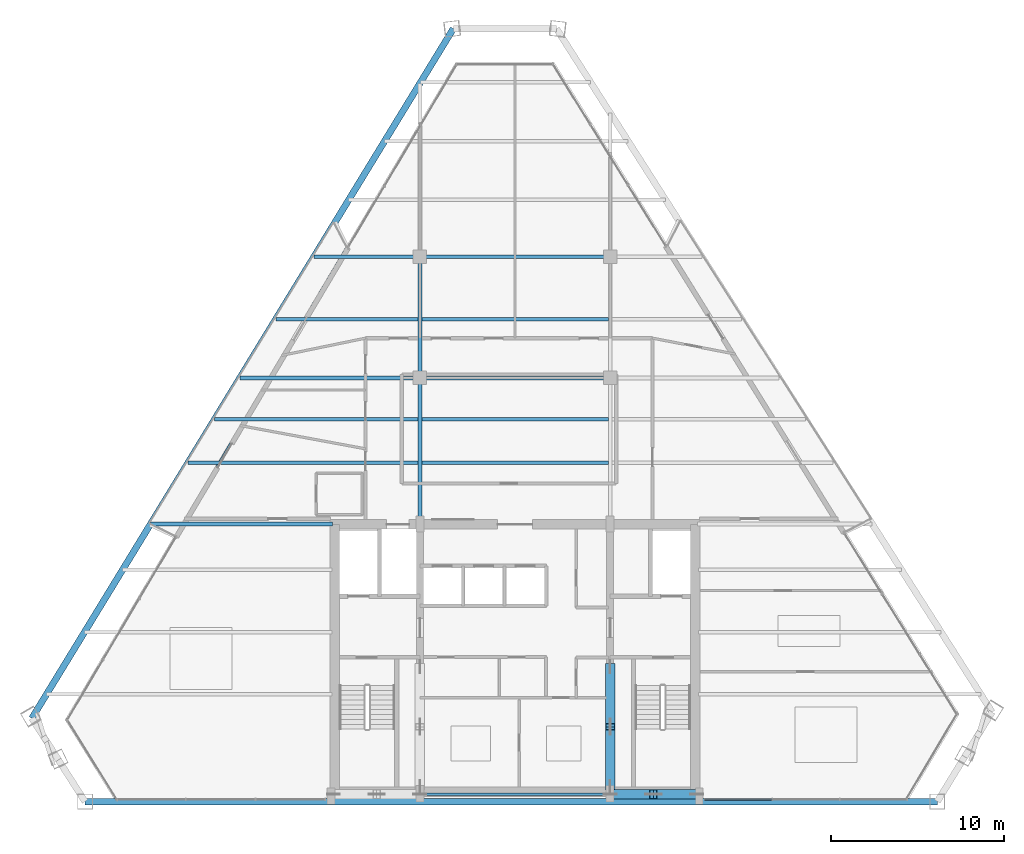
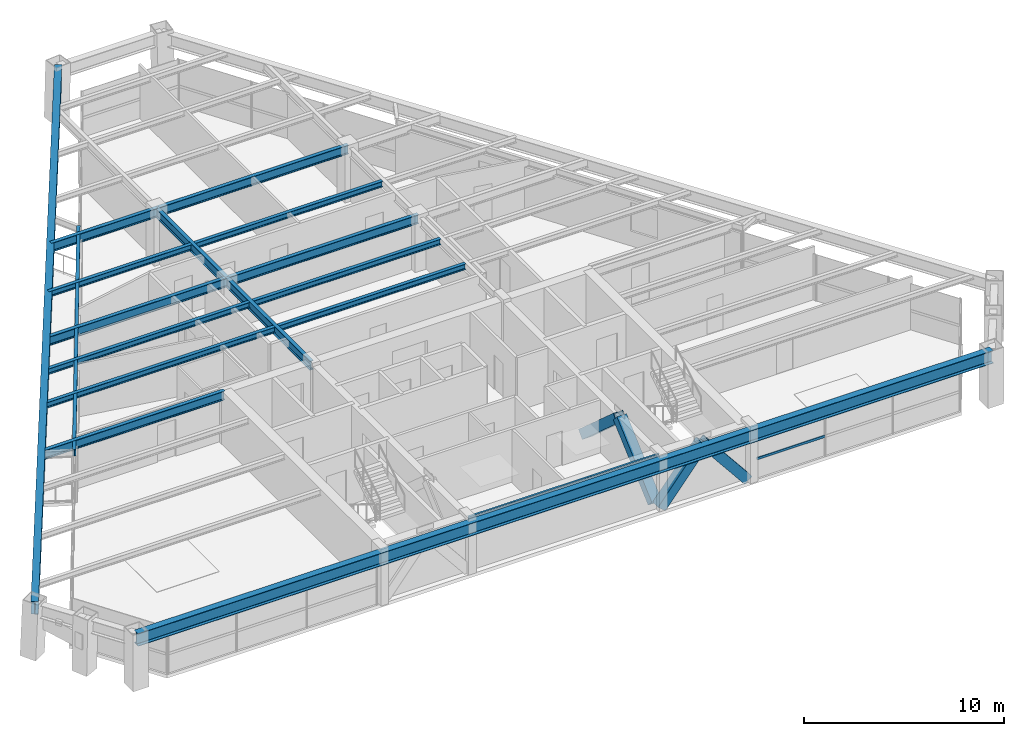
# One storey, part 3 of 12: 17 beams, 5 members, 1 element without a shape of its own.
"""IFC4 building model written with IfcOpenShell, lengths in metres."""

from ifc_helpers import new_model, si_unit, direction, frame, origin, origin_2d, place, context, subcontext, project, spatial, rectangle, hollow_rectangle, i_section, extrude, source, transform, mapped, material, material_profile, profile_set, type_object, type_shapes, element, aggregate, save


model = new_model("IFC4")

# Units and contexts
model_context = context("Model", 3, precision=1e-05, world=origin(), true_north=direction((0.0, 1.0)))
body_context = subcontext(model_context, "Body", "Model", "MODEL_VIEW")
ifc_project = project(units=[si_unit("LENGTHUNIT", "METRE"), si_unit("AREAUNIT", "SQUARE_METRE"), si_unit("VOLUMEUNIT", "CUBIC_METRE"), si_unit("PLANEANGLEUNIT", "RADIAN"), si_unit("MASSUNIT", "GRAM", prefix="KILO")], contexts=[model_context])

# Site, building, storey
site_placement = place(None, origin())
site = spatial("IfcSite", under=ifc_project, at=site_placement, CompositionType="ELEMENT")
building_placement = place(site_placement, origin())
building = spatial("IfcBuilding", under=site, at=building_placement, Name="Varnakhor Terracotta Tower", CompositionType="ELEMENT")
storey_placement = place(building_placement, frame((0.0, 0.0, 230.35009765625)))
storey = spatial("IfcBuildingStorey", under=building, at=storey_placement, Name="L59", CompositionType="ELEMENT", Elevation=230.35009765625)

# Beams
ifc_material_1 = material(Name="Steel S355", Category="steel")
ifc_material_profile_1 = material_profile(ifc_material_1, i_section(OverallWidth=0.1201171875, OverallDepth=0.239990234375, WebThickness=0.006103515625, FlangeThickness=0.009765625, FilletRadius=0.01806640625, at=origin_2d()), Name="IPE240")
ifc_profile_set_1 = profile_set([ifc_material_profile_1], Name="Steel S355")
beam_type_1 = type_object("IfcBeamType", Name="LNT-IPE240", PredefinedType="LINTEL", material=ifc_profile_set_1)
shared_shape_1 = source(origin(), body_context, "Body", "SweptSolid", [
    extrude(i_section(OverallWidth=0.1201171875, OverallDepth=0.239990234375, WebThickness=0.006103515625, FlangeThickness=0.009765625, FilletRadius=0.01806640625, at=origin_2d()), origin(), (0.0, 0.0, 1.0), 11.0),
])
type_shapes(beam_type_1, [shared_shape_1])
beam_1_placement = place(storey_placement, frame((-5.5, 0.419921875, 3.119873046875), z_axis=(1.0, 0.0, 0.0), x_axis=(0.0, 1.0, 0.0)))
element("IfcBeam", 1, at=beam_1_placement, inside=storey, type_object=beam_type_1, Name="L59 Core South Coupling Lintel", PredefinedType="LINTEL", context=body_context, shape_type="MappedRepresentation", body=[
    mapped(shared_shape_1, transform((0.0, 0.0, 0.0), scale=1.0)),
])
ifc_material_profile_2 = material_profile(ifc_material_1, i_section(OverallWidth=0.214111328125, OverallDepth=0.549072265625, WebThickness=0.014892578125, FlangeThickness=0.02392578125, FilletRadius=0.01806640625, at=origin_2d()), Name="W21X93")
ifc_profile_set_2 = profile_set([ifc_material_profile_2], Name="Steel S355")
beam_type_2 = type_object("IfcBeamType", Name="BM-W21X93", PredefinedType="BEAM", material=ifc_profile_set_2)
shared_shape_2 = source(origin(), body_context, "Body", "SweptSolid", [
    extrude(i_section(OverallWidth=0.214111328125, OverallDepth=0.549072265625, WebThickness=0.014892578125, FlangeThickness=0.02392578125, FilletRadius=0.01806640625, at=origin_2d()), origin(), (0.0, 0.0, 1.0), 8.449951171875),
])
type_shapes(beam_type_2, [shared_shape_2])
beam_2_placement = place(storey_placement, frame((-5.5, 16.050048828125, 2.96533203125), z_axis=(0.0, 1.0, 0.0), x_axis=(-1.0, 0.0, 0.0)))
element("IfcBeam", 2, at=beam_2_placement, inside=storey, type_object=beam_type_2, Name="L59 Primary Girder NS1-W", PredefinedType="BEAM", context=body_context, shape_type="MappedRepresentation", body=[
    mapped(shared_shape_2, transform((0.0, 0.0, 0.0), scale=1.0)),
])
shared_shape_3 = source(origin(), body_context, "Body", "SweptSolid", [
    extrude(i_section(OverallWidth=0.214111328125, OverallDepth=0.549072265625, WebThickness=0.014892578125, FlangeThickness=0.02392578125, FilletRadius=0.01806640625, at=origin_2d()), origin(), (0.0, 0.0, 1.0), 7.0),
])
beam_3_placement = place(storey_placement, frame((-5.5, 24.5, 2.96533203125), z_axis=(0.0, 1.0, 0.0), x_axis=(-1.0, 0.0, 0.0)))
element("IfcBeam", 3, at=beam_3_placement, inside=storey, type_object=beam_type_2, Name="L59 Primary Girder NS2-W", PredefinedType="BEAM", context=body_context, shape_type="MappedRepresentation", body=[
    mapped(shared_shape_3, transform((0.0, 0.0, 0.0), scale=1.0)),
])
shared_shape_4 = source(origin(), body_context, "Body", "SweptSolid", [
    extrude(i_section(OverallWidth=0.214111328125, OverallDepth=0.549072265625, WebThickness=0.014892578125, FlangeThickness=0.02392578125, FilletRadius=0.01806640625, at=origin_2d()), origin(), (0.0, 0.0, 1.0), 11.0),
])
for number, where, z_axis, x_axis, name in (
    (4, (-5.5, 24.5, 2.96533203125), (1.0, 0.0, 0.0), (0.0, 1.0, 0.0), "L59 Primary Girder EW2-2"),
    (5, (-5.5, 31.5, 2.96533203125), (1.0, 0.0, 0.0), (0.0, 1.0, 0.0), "L59 Primary Girder EW3-2"),
):
    element("IfcBeam", number, at=place(storey_placement, frame(where, z_axis=z_axis, x_axis=x_axis)), inside=storey, type_object=beam_type_2, Name=name, PredefinedType="BEAM", context=body_context, shape_type="MappedRepresentation", body=[
        mapped(shared_shape_4, transform((0.0, 0.0, 0.0), scale=1.0)),
    ])
ifc_material_profile_3 = material_profile(ifc_material_1, i_section(OverallWidth=0.202880859375, OverallDepth=0.346923828125, WebThickness=0.0078125, FlangeThickness=0.013427734375, FilletRadius=0.01806640625, at=origin_2d()), Name="W14X43")
ifc_profile_set_3 = profile_set([ifc_material_profile_3], Name="Steel S355")
beam_type_3 = type_object("IfcBeamType", Name="JST-W14X43", PredefinedType="JOIST", material=ifc_profile_set_3)
shared_shape_5 = source(origin(), body_context, "Body", "SweptSolid", [
    extrude(i_section(OverallWidth=0.202880859375, OverallDepth=0.346923828125, WebThickness=0.0078125, FlangeThickness=0.013427734375, FilletRadius=0.01806640625, at=origin_2d()), origin(), (0.0, 0.0, 1.0), 10.7939453125),
])
for number, where, z_axis, x_axis, name in (
    (6, (-5.39697265625, 19.60009765625, 3.06640625), (1.0, 0.0, 0.0), (0.0, 1.0, 0.0), "L59 Composite Floor Joist 4-2"),
    (7, (-5.39697265625, 22.10009765625, 3.06640625), (1.0, 0.0, 0.0), (0.0, 1.0, 0.0), "L59 Composite Floor Joist 5-2"),
    (8, (-5.39697265625, 27.89990234375, 3.06640625), (1.0, 0.0, 0.0), (0.0, 1.0, 0.0), "L59 Composite Floor Joist 6-2"),
):
    element("IfcBeam", number, at=place(storey_placement, frame(where, z_axis=z_axis, x_axis=x_axis)), inside=storey, type_object=beam_type_3, Name=name, PredefinedType="JOIST", context=body_context, shape_type="MappedRepresentation", body=[
        mapped(shared_shape_5, transform((0.0, 0.0, 0.0), scale=1.0)),
    ])

# Member
ifc_material_profile_4 = material_profile(ifc_material_1, hollow_rectangle(XDim=0.550048828125, YDim=0.550048828125, WallThickness=0.034912109375, at=origin_2d()), Name="HSS550X550X35")
ifc_profile_set_4 = profile_set([ifc_material_profile_4], Name="Steel S355")
member_type_1 = type_object("IfcMemberType", Name="MBR-MEGA-550", PredefinedType="BRACE", material=ifc_profile_set_4)
shared_shape_6 = source(origin(), body_context, "Body", "SweptSolid", [
    extrude(hollow_rectangle(XDim=0.550048828125, YDim=0.550048828125, WallThickness=0.034912109375, at=origin_2d()), origin(), (0.0, 0.0, 1.0), 4.650146484375),
])
member_1_placement = place(storey_placement, frame((5.5, 7.800048828125, 0.0), z_axis=(0.0, -0.747316617832, 0.664468112638), x_axis=(1.0, 0.0, 0.0)))
element("IfcMember", 9, at=member_1_placement, inside=storey, type_object=member_type_1, Name="L59 Core Coupled Brace CWEB", PredefinedType="BRACE", context=body_context, shape_type="MappedRepresentation", body=[
    mapped(shared_shape_6, transform((0.0, 0.0, 0.0), scale=1.0)),
])

# Beams
ifc_material_profile_5 = material_profile(ifc_material_1, i_section(OverallWidth=0.381103515625, OverallDepth=0.77294921875, WebThickness=0.01708984375, FlangeThickness=0.027099609375, FilletRadius=0.01806640625, at=origin_2d()), Name="W30X173")
ifc_profile_set_5 = profile_set([ifc_material_profile_5], Name="Steel S355")
beam_type_4 = type_object("IfcBeamType", Name="BM-W30X173", PredefinedType="BEAM", material=ifc_profile_set_5)
shared_shape_7 = source(origin(), body_context, "Body", "SweptSolid", [
    extrude(i_section(OverallWidth=0.381103515625, OverallDepth=0.77294921875, WebThickness=0.01708984375, FlangeThickness=0.027099609375, FilletRadius=0.01806640625, at=origin_2d()), origin(), (0.0, 0.0, 1.0), 49.297607421875),
])
beam_4_placement = place(storey_placement, frame((-24.873291015625, 0.0, 2.853515625), z_axis=(1.0, 0.0, 0.0), x_axis=(0.0, 1.0, 0.0)))
element("IfcBeam", 10, at=beam_4_placement, inside=storey, type_object=beam_type_4, Name="L59 Perimeter Spandrel 1", PredefinedType="BEAM", context=body_context, shape_type="MappedRepresentation", body=[
    mapped(shared_shape_7, transform((0.0, 0.0, 0.0), scale=1.0)),
])
shared_shape_8 = source(origin(), body_context, "Body", "SweptSolid", [
    extrude(i_section(OverallWidth=0.381103515625, OverallDepth=0.77294921875, WebThickness=0.01708984375, FlangeThickness=0.027099609375, FilletRadius=0.01806640625, at=origin_2d()), origin(), (0.0, 0.0, 1.0), 46.743408203125),
])
beam_5_placement = place(storey_placement, frame((-3.56689453125, 44.70068359375, 2.853515625), z_axis=(-0.521517190958, -0.853240774656, 0.0), x_axis=(0.853240774656, -0.521517190958, 0.0)))
element("IfcBeam", 11, at=beam_5_placement, inside=storey, type_object=beam_type_4, Name="L59 Perimeter Spandrel 6", PredefinedType="BEAM", context=body_context, shape_type="MappedRepresentation", body=[
    mapped(shared_shape_8, transform((0.0, 0.0, 0.0), scale=1.0)),
])
ifc_material_profile_6 = material_profile(ifc_material_1, i_section(OverallWidth=0.179931640625, OverallDepth=0.39990234375, WebThickness=0.008544921875, FlangeThickness=0.013427734375, FilletRadius=0.01806640625, at=origin_2d()), Name="IPE400")
ifc_profile_set_6 = profile_set([ifc_material_profile_6], Name="Steel S355")
beam_type_5 = type_object("IfcBeamType", Name="JST-IPE400", PredefinedType="JOIST", material=ifc_profile_set_6)
shared_shape_9 = source(origin(), body_context, "Body", "SweptSolid", [
    extrude(i_section(OverallWidth=0.179931640625, OverallDepth=0.39990234375, WebThickness=0.008544921875, FlangeThickness=0.013427734375, FilletRadius=0.01806640625, at=origin_2d()), origin(), (0.0, 0.0, 1.0), 19.51123046875),
])
beam_6_placement = place(storey_placement, frame((-9.683837890625, 32.076171875, 3.039794921875), z_axis=(-0.509734819492, -0.86033157201, 0.0), x_axis=(0.86033157201, -0.509734819492, 0.0)))
element("IfcBeam", 12, at=beam_6_placement, inside=storey, type_object=beam_type_5, Name="L59 Loggia Edge Beam 2", PredefinedType="JOIST", context=body_context, shape_type="MappedRepresentation", body=[
    mapped(shared_shape_9, transform((0.0, 0.0, 0.0), scale=1.0)),
])
shared_shape_10 = source(origin(), body_context, "Body", "SweptSolid", [
    extrude(i_section(OverallWidth=0.214111328125, OverallDepth=0.549072265625, WebThickness=0.014892578125, FlangeThickness=0.02392578125, FilletRadius=0.01806640625, at=origin_2d()), origin(), (0.0, 0.0, 1.0), 10.528564453125),
])
beam_7_placement = place(storey_placement, frame((-21.07861328125, 16.050048828125, 2.96533203125), z_axis=(1.0, 0.0, 0.0), x_axis=(0.0, 1.0, 0.0)))
element("IfcBeam", 13, at=beam_7_placement, inside=storey, type_object=beam_type_2, Name="L59 Wing Girder W", PredefinedType="BEAM", context=body_context, shape_type="MappedRepresentation", body=[
    mapped(shared_shape_10, transform((0.0, 0.0, 0.0), scale=1.0)),
])
shared_shape_11 = source(origin(), body_context, "Body", "SweptSolid", [
    extrude(i_section(OverallWidth=0.214111328125, OverallDepth=0.549072265625, WebThickness=0.014892578125, FlangeThickness=0.02392578125, FilletRadius=0.01806640625, at=origin_2d()), origin(), (0.0, 0.0, 1.0), 10.4140625),
])
beam_8_placement = place(storey_placement, frame((-15.9140625, 24.5, 2.96533203125), z_axis=(1.0, 0.0, 0.0), x_axis=(0.0, 1.0, 0.0)))
element("IfcBeam", 14, at=beam_8_placement, inside=storey, type_object=beam_type_2, Name="L59 Primary Girder EW2-1", PredefinedType="BEAM", context=body_context, shape_type="MappedRepresentation", body=[
    mapped(shared_shape_11, transform((0.0, 0.0, 0.0), scale=1.0)),
])
shared_shape_12 = source(origin(), body_context, "Body", "SweptSolid", [
    extrude(i_section(OverallWidth=0.214111328125, OverallDepth=0.549072265625, WebThickness=0.014892578125, FlangeThickness=0.02392578125, FilletRadius=0.01806640625, at=origin_2d()), origin(), (0.0, 0.0, 1.0), 6.135498046875),
])
beam_9_placement = place(storey_placement, frame((-11.635498046875, 31.5, 2.96533203125), z_axis=(1.0, 0.0, 0.0), x_axis=(0.0, 1.0, 0.0)))
element("IfcBeam", 15, at=beam_9_placement, inside=storey, type_object=beam_type_2, Name="L59 Primary Girder EW3-1", PredefinedType="BEAM", context=body_context, shape_type="MappedRepresentation", body=[
    mapped(shared_shape_12, transform((0.0, 0.0, 0.0), scale=1.0)),
])
shared_shape_13 = source(origin(), body_context, "Body", "SweptSolid", [
    extrude(i_section(OverallWidth=0.202880859375, OverallDepth=0.346923828125, WebThickness=0.0078125, FlangeThickness=0.013427734375, FilletRadius=0.01806640625, at=origin_2d()), origin(), (0.0, 0.0, 1.0), 13.305908203125),
])
beam_10_placement = place(storey_placement, frame((-18.908935546875, 19.60009765625, 3.06640625), z_axis=(1.0, 0.0, 0.0), x_axis=(0.0, 1.0, 0.0)))
element("IfcBeam", 16, at=beam_10_placement, inside=storey, type_object=beam_type_3, Name="L59 Composite Floor Joist 4-1", PredefinedType="JOIST", context=body_context, shape_type="MappedRepresentation", body=[
    mapped(shared_shape_13, transform((0.0, 0.0, 0.0), scale=1.0)),
])
shared_shape_14 = source(origin(), body_context, "Body", "SweptSolid", [
    extrude(i_section(OverallWidth=0.202880859375, OverallDepth=0.346923828125, WebThickness=0.0078125, FlangeThickness=0.013427734375, FilletRadius=0.01806640625, at=origin_2d()), origin(), (0.0, 0.0, 1.0), 11.77783203125),
])
beam_11_placement = place(storey_placement, frame((-17.380859375, 22.10009765625, 3.06640625), z_axis=(1.0, 0.0, 0.0), x_axis=(0.0, 1.0, 0.0)))
element("IfcBeam", 17, at=beam_11_placement, inside=storey, type_object=beam_type_3, Name="L59 Composite Floor Joist 5-1", PredefinedType="JOIST", context=body_context, shape_type="MappedRepresentation", body=[
    mapped(shared_shape_14, transform((0.0, 0.0, 0.0), scale=1.0)),
])
shared_shape_15 = source(origin(), body_context, "Body", "SweptSolid", [
    extrude(i_section(OverallWidth=0.202880859375, OverallDepth=0.346923828125, WebThickness=0.0078125, FlangeThickness=0.013427734375, FilletRadius=0.01806640625, at=origin_2d()), origin(), (0.0, 0.0, 1.0), 8.232666015625),
])
beam_12_placement = place(storey_placement, frame((-13.835693359375, 27.89990234375, 3.06640625), z_axis=(1.0, 0.0, 0.0), x_axis=(0.0, 1.0, 0.0)))
element("IfcBeam", 18, at=beam_12_placement, inside=storey, type_object=beam_type_3, Name="L59 Composite Floor Joist 6-1", PredefinedType="JOIST", context=body_context, shape_type="MappedRepresentation", body=[
    mapped(shared_shape_15, transform((0.0, 0.0, 0.0), scale=1.0)),
])

# Members
shared_shape_16 = source(origin(), body_context, "Body", "SweptSolid", [
    extrude(hollow_rectangle(XDim=0.550048828125, YDim=0.550048828125, WallThickness=0.034912109375, at=origin_2d()), origin(), (0.0, 0.0, 1.0), 3.974609375),
])
for number, where, z_axis, x_axis, name in (
    (19, (5.5, 0.419921875, 0.0), (0.629000299358, 0.0, 0.777405057488), (0.0, 1.0, 0.0), "L59 Core Coupled Brace CSEA"),
    (20, (10.5, 0.419921875, 0.0), (-0.629000299358, 0.0, 0.777405057488), (0.0, -1.0, 0.0), "L59 Core Coupled Brace CSEB"),
):
    element("IfcMember", number, at=place(storey_placement, frame(where, z_axis=z_axis, x_axis=x_axis)), inside=storey, type_object=member_type_1, Name=name, PredefinedType="BRACE", context=body_context, shape_type="MappedRepresentation", body=[
        mapped(shared_shape_16, transform((0.0, 0.0, 0.0), scale=1.0)),
    ])
shared_shape_17 = source(origin(), body_context, "Body", "SweptSolid", [
    extrude(hollow_rectangle(XDim=0.550048828125, YDim=0.550048828125, WallThickness=0.034912109375, at=origin_2d()), origin(), (0.0, 0.0, 1.0), 4.64990234375),
])
member_2_placement = place(storey_placement, frame((5.5, 0.85009765625, 0.0), z_axis=(0.0, 0.747293435799, 0.664494184182), x_axis=(-1.0, 0.0, 0.0)))
element("IfcMember", 21, at=member_2_placement, inside=storey, type_object=member_type_1, Name="L59 Core Coupled Brace CWEA", PredefinedType="BRACE", context=body_context, shape_type="MappedRepresentation", body=[
    mapped(shared_shape_17, transform((0.0, 0.0, 0.0), scale=1.0)),
])

# Curtain wall, member
ifc_material_2 = material(Name="Anodised Aluminium Curtain Wall System", Category="aluminium")
curtain_wall_type = type_object("IfcCurtainWallType", Name="CW-SYS-HOTEL-LOGGIA", PredefinedType="NOTDEFINED", material=ifc_material_2)
curtain_wall_placement = place(storey_placement, origin())
curtain_wall = element("IfcCurtainWall", 22, at=curtain_wall_placement, inside=storey, type_object=curtain_wall_type, Name="L59 South Wing Curtain Wall SSE", PredefinedType="NOTDEFINED")
ifc_material_3 = material(Name="Anodised Aluminium 6063-T6", Category="aluminium")
ifc_material_profile_7 = material_profile(ifc_material_3, rectangle(XDim=0.06494140625, YDim=0.14501953125, at=origin_2d()), Name="ALU TRANSOM 65x145")
ifc_profile_set_7 = profile_set([ifc_material_profile_7], Name="Anodised Aluminium 6063-T6")
member_type_2 = type_object("IfcMemberType", Name="CWT-04", PredefinedType="USERDEFINED", material=ifc_profile_set_7)
shared_shape_18 = source(origin(), body_context, "Body", "SweptSolid", [
    extrude(rectangle(XDim=0.06494140625, YDim=0.14501953125, at=origin_2d()), origin(), (0.0, 0.0, 1.0), 3.90234375),
])
member_3_placement = place(storey_placement, frame((14.872314453125, 0.1201171875, 1.184326171875), z_axis=(-1.0, 0.0, 0.0), x_axis=(0.0, -1.0, 0.0)))
member_3 = element("IfcMember", 23, at=member_3_placement, type_object=member_type_2, Name="L59 South Wing Curtain Wall SSE Transom 3", ObjectType="TRANSOM", PredefinedType="USERDEFINED", context=body_context, shape_type="MappedRepresentation", body=[
    mapped(shared_shape_18, transform((0.0, 0.0, 0.0), scale=1.0)),
])
aggregate(curtain_wall, [member_3])

save(model, "model.ifc")
